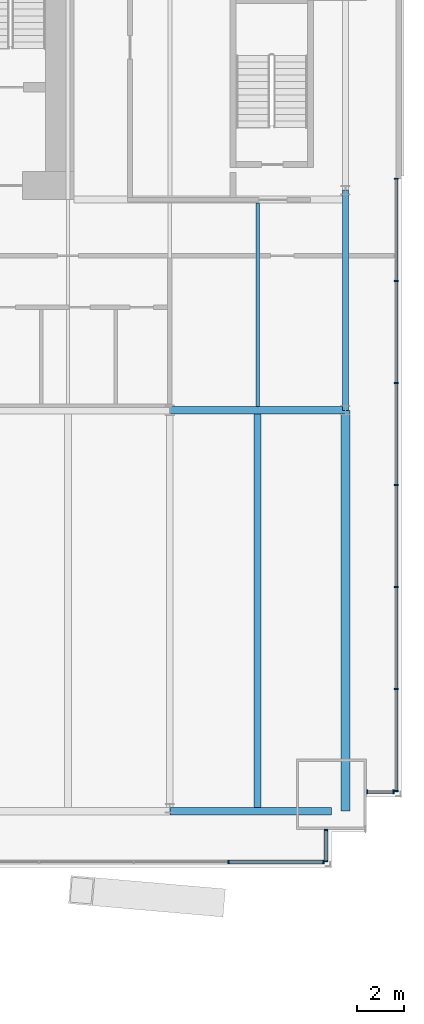
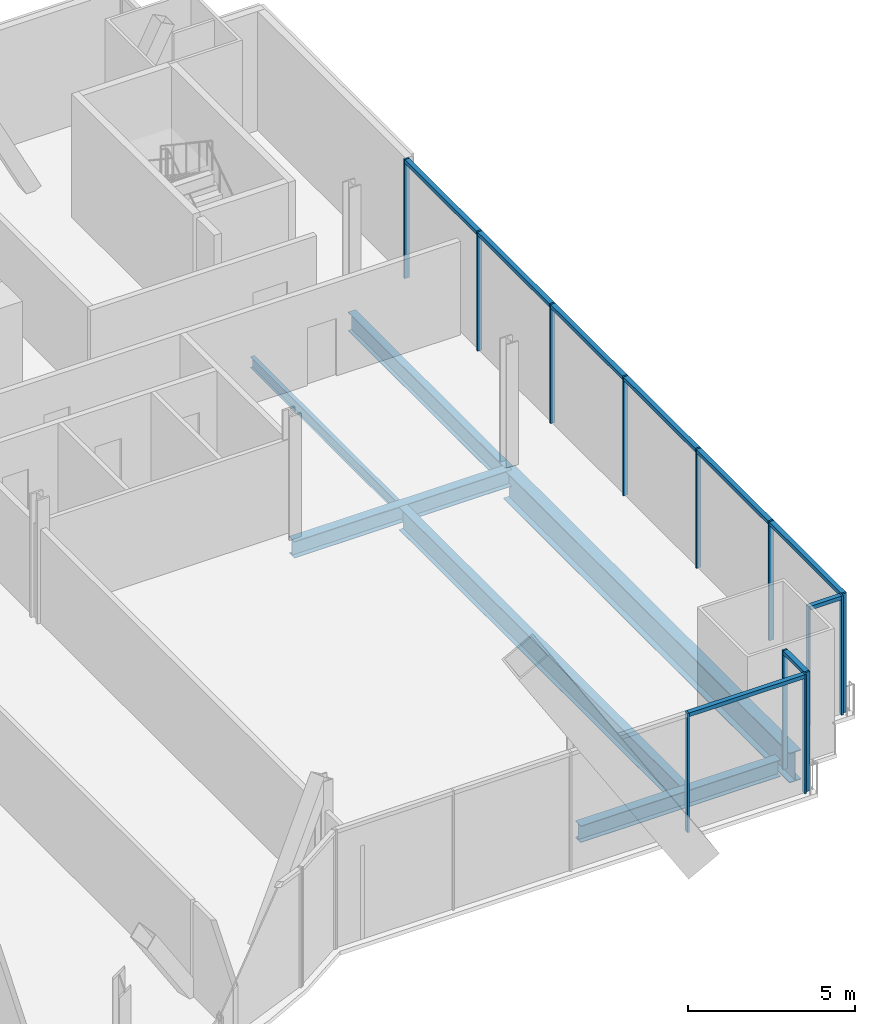
# One storey, part 13 of 23: 22 members, 6 beams, 4 elements without a shape of their own.
"""IFC4 building model written with IfcOpenShell, lengths in metres."""

from ifc_helpers import new_model, si_unit, direction, frame, origin, origin_2d, place, context, subcontext, project, spatial, rectangle, i_section, extrude, material, material_profile, profile_set, type_object, element, aggregate, save


model = new_model("IFC4")

# Units and contexts
model_context = context("Model", 3, precision=1e-05, world=origin(), true_north=direction((0.0, 1.0)))
body_context = subcontext(model_context, "Body", "Model", "MODEL_VIEW")
ifc_project = project(units=[si_unit("LENGTHUNIT", "METRE"), si_unit("AREAUNIT", "SQUARE_METRE"), si_unit("VOLUMEUNIT", "CUBIC_METRE"), si_unit("PLANEANGLEUNIT", "RADIAN"), si_unit("MASSUNIT", "GRAM", prefix="KILO")], contexts=[model_context])

# Site, building, storey
site_placement = place(None, origin())
site = spatial("IfcSite", under=ifc_project, at=site_placement, CompositionType="ELEMENT")
building_placement = place(site_placement, origin())
building = spatial("IfcBuilding", under=site, at=building_placement, Name="Bicima Exchange Tower", CompositionType="ELEMENT")
storey_placement = place(building_placement, frame((0.0, 0.0, 44.0)))
storey = spatial("IfcBuildingStorey", under=building, at=storey_placement, Name="L08", CompositionType="ELEMENT", Elevation=44.0)

# Curtain wall, members
ifc_material_1 = material(Name="Anodised bronze aluminium", Category="aluminium")
curtain_wall_type_1 = type_object("IfcCurtainWallType", Name="End face glass wall", PredefinedType="NOTDEFINED", material=ifc_material_1)
curtain_wall_1_placement = place(storey_placement, origin())
curtain_wall_1 = element("IfcCurtainWall", 1, at=curtain_wall_1_placement, inside=storey, type_object=curtain_wall_type_1, Name="End face glass wall L08 run 19", PredefinedType="NOTDEFINED")
ifc_material_profile_1 = material_profile(ifc_material_1, rectangle(XDim=0.159912109375, YDim=0.06005859375, at=origin_2d()))
ifc_profile_set_1 = profile_set([ifc_material_profile_1], Name="Anodised bronze aluminium")
member_type_1 = type_object("IfcMemberType", Name="End face glass wall mullion 60 x 160", PredefinedType="MULLION", material=ifc_profile_set_1)
member_1_placement = place(storey_placement, frame((35.77001953125, -38.251953125, 0.0), z_axis=(0.0, 0.0, 1.0), x_axis=(-1.0, 0.0, 0.0)))
member_1 = element("IfcMember", 2, at=member_1_placement, type_object=member_type_1, Name="End face glass wall mullion 1", PredefinedType="MULLION", context=body_context, shape_type="SweptSolid", body=[
    extrude(rectangle(XDim=0.159912109375, YDim=0.06005859375, at=origin_2d()), origin(), (0.0, 0.0, 1.0), 4.35009765625),
])
member_2_placement = place(storey_placement, frame((35.77001953125, -33.89501953125, 0.0), z_axis=(0.0, 0.0, 1.0), x_axis=(-1.0, 0.0, 0.0)))
member_2 = element("IfcMember", 3, at=member_2_placement, type_object=member_type_1, Name="End face glass wall mullion 2", PredefinedType="MULLION", context=body_context, shape_type="SweptSolid", body=[
    extrude(rectangle(XDim=0.159912109375, YDim=0.06005859375, at=origin_2d()), origin(), (0.0, 0.0, 1.0), 4.35009765625),
])
member_3_placement = place(storey_placement, frame((35.77001953125, -29.5380859375, 0.0), z_axis=(0.0, 0.0, 1.0), x_axis=(-1.0, 0.0, 0.0)))
member_3 = element("IfcMember", 4, at=member_3_placement, type_object=member_type_1, Name="End face glass wall mullion 3", PredefinedType="MULLION", context=body_context, shape_type="SweptSolid", body=[
    extrude(rectangle(XDim=0.159912109375, YDim=0.06005859375, at=origin_2d()), origin(), (0.0, 0.0, 1.0), 4.35009765625),
])
member_4_placement = place(storey_placement, frame((35.77001953125, -25.180908203125, 0.0), z_axis=(0.0, 0.0, 1.0), x_axis=(-1.0, 0.0, 0.0)))
member_4 = element("IfcMember", 5, at=member_4_placement, type_object=member_type_1, Name="End face glass wall mullion 4", PredefinedType="MULLION", context=body_context, shape_type="SweptSolid", body=[
    extrude(rectangle(XDim=0.159912109375, YDim=0.06005859375, at=origin_2d()), origin(), (0.0, 0.0, 1.0), 4.35009765625),
])
member_5_placement = place(storey_placement, frame((35.77001953125, -20.823974609375, 0.0), z_axis=(0.0, 0.0, 1.0), x_axis=(-1.0, 0.0, 0.0)))
member_5 = element("IfcMember", 6, at=member_5_placement, type_object=member_type_1, Name="End face glass wall mullion 5", PredefinedType="MULLION", context=body_context, shape_type="SweptSolid", body=[
    extrude(rectangle(XDim=0.159912109375, YDim=0.06005859375, at=origin_2d()), origin(), (0.0, 0.0, 1.0), 4.35009765625),
])
member_6_placement = place(storey_placement, frame((35.77001953125, -16.467041015625, 0.0), z_axis=(0.0, 0.0, 1.0), x_axis=(-1.0, 0.0, 0.0)))
member_6 = element("IfcMember", 7, at=member_6_placement, type_object=member_type_1, Name="End face glass wall mullion 6", PredefinedType="MULLION", context=body_context, shape_type="SweptSolid", body=[
    extrude(rectangle(XDim=0.159912109375, YDim=0.06005859375, at=origin_2d()), origin(), (0.0, 0.0, 1.0), 4.35009765625),
])
member_7_placement = place(storey_placement, frame((35.77001953125, -12.110107421875, 0.0), z_axis=(0.0, 0.0, 1.0), x_axis=(-1.0, 0.0, 0.0)))
member_7 = element("IfcMember", 8, at=member_7_placement, type_object=member_type_1, Name="End face glass wall mullion 7", PredefinedType="MULLION", context=body_context, shape_type="SweptSolid", body=[
    extrude(rectangle(XDim=0.159912109375, YDim=0.06005859375, at=origin_2d()), origin(), (0.0, 0.0, 1.0), 4.35009765625),
])
ifc_material_profile_2 = material_profile(ifc_material_1, rectangle(XDim=0.159912109375, YDim=0.139892578125, at=origin_2d()))
ifc_profile_set_2 = profile_set([ifc_material_profile_2], Name="Anodised bronze aluminium")
member_type_2 = type_object("IfcMemberType", Name="End face glass wall transom 140 x 160", PredefinedType="USERDEFINED", material=ifc_profile_set_2)
member_8_placement = place(storey_placement, frame((35.77001953125, -38.221923828125, 4.280029296875), z_axis=(0.0, 1.0, 0.0), x_axis=(-1.0, 0.0, 0.0)))
member_8 = element("IfcMember", 9, at=member_8_placement, type_object=member_type_2, Name="End face glass wall transom 1.1", ObjectType="TRANSOM", PredefinedType="USERDEFINED", context=body_context, shape_type="SweptSolid", body=[
    extrude(rectangle(XDim=0.159912109375, YDim=0.139892578125, at=origin_2d()), origin(), (0.0, 0.0, 1.0), 4.296875),
])
member_9_placement = place(storey_placement, frame((35.77001953125, -33.864990234375, 4.280029296875), z_axis=(0.0, 1.0, 0.0), x_axis=(-1.0, 0.0, 0.0)))
member_9 = element("IfcMember", 10, at=member_9_placement, type_object=member_type_2, Name="End face glass wall transom 2.1", ObjectType="TRANSOM", PredefinedType="USERDEFINED", context=body_context, shape_type="SweptSolid", body=[
    extrude(rectangle(XDim=0.159912109375, YDim=0.139892578125, at=origin_2d()), origin(), (0.0, 0.0, 1.0), 4.296875),
])
member_10_placement = place(storey_placement, frame((35.77001953125, -29.508056640625, 4.280029296875), z_axis=(0.0, 1.0, 0.0), x_axis=(-1.0, 0.0, 0.0)))
member_10 = element("IfcMember", 11, at=member_10_placement, type_object=member_type_2, Name="End face glass wall transom 3.1", ObjectType="TRANSOM", PredefinedType="USERDEFINED", context=body_context, shape_type="SweptSolid", body=[
    extrude(rectangle(XDim=0.159912109375, YDim=0.139892578125, at=origin_2d()), origin(), (0.0, 0.0, 1.0), 4.297119140625),
])
member_11_placement = place(storey_placement, frame((35.77001953125, -25.15087890625, 4.280029296875), z_axis=(0.0, 1.0, 0.0), x_axis=(-1.0, 0.0, 0.0)))
member_11 = element("IfcMember", 12, at=member_11_placement, type_object=member_type_2, Name="End face glass wall transom 4.1", ObjectType="TRANSOM", PredefinedType="USERDEFINED", context=body_context, shape_type="SweptSolid", body=[
    extrude(rectangle(XDim=0.159912109375, YDim=0.139892578125, at=origin_2d()), origin(), (0.0, 0.0, 1.0), 4.296875),
])
member_12_placement = place(storey_placement, frame((35.77001953125, -20.7939453125, 4.280029296875), z_axis=(0.0, 1.0, 0.0), x_axis=(-1.0, 0.0, 0.0)))
member_12 = element("IfcMember", 13, at=member_12_placement, type_object=member_type_2, Name="End face glass wall transom 5.1", ObjectType="TRANSOM", PredefinedType="USERDEFINED", context=body_context, shape_type="SweptSolid", body=[
    extrude(rectangle(XDim=0.159912109375, YDim=0.139892578125, at=origin_2d()), origin(), (0.0, 0.0, 1.0), 4.296875),
])
member_13_placement = place(storey_placement, frame((35.77001953125, -16.43701171875, 4.280029296875), z_axis=(0.0, 1.0, 0.0), x_axis=(-1.0, 0.0, 0.0)))
member_13 = element("IfcMember", 14, at=member_13_placement, type_object=member_type_2, Name="End face glass wall transom 6.1", ObjectType="TRANSOM", PredefinedType="USERDEFINED", context=body_context, shape_type="SweptSolid", body=[
    extrude(rectangle(XDim=0.159912109375, YDim=0.139892578125, at=origin_2d()), origin(), (0.0, 0.0, 1.0), 4.297119140625),
])
aggregate(curtain_wall_1, [member_1, member_2, member_3, member_4, member_5, member_6, member_7, member_8, member_9, member_10, member_11, member_12, member_13])

# Beams
ifc_material_2 = material(Name="Steel ASTM A992 Gr 50", Category="steel")
ifc_material_profile_3 = material_profile(ifc_material_2, i_section(OverallWidth=0.256591796875, OverallDepth=0.693359375, WebThickness=0.014404296875, FlangeThickness=0.023681640625, at=origin_2d()))
ifc_profile_set_3 = profile_set([ifc_material_profile_3], Name="Steel ASTM A992 Gr 50")
beam_type_1 = type_object("IfcBeamType", Name="End girder W27x114", PredefinedType="BEAM", material=ifc_profile_set_3)
beam_1_placement = place(storey_placement, frame((33.60009765625, -12.60009765625, -0.49658203125), z_axis=(0.0, -1.0, 0.0), x_axis=(1.0, 0.0, 0.0)))
element("IfcBeam", 15, at=beam_1_placement, inside=storey, type_object=beam_type_1, Name="End girder", PredefinedType="BEAM", context=body_context, shape_type="SweptSolid", body=[
    extrude(i_section(OverallWidth=0.256591796875, OverallDepth=0.693359375, WebThickness=0.014404296875, FlangeThickness=0.023681640625, at=origin_2d()), origin(), (0.0, 0.0, 1.0), 9.39990234375),
])
ifc_material_profile_4 = material_profile(ifc_material_2, i_section(OverallWidth=0.4013671875, OverallDepth=1.089599609375, WebThickness=0.01806640625, FlangeThickness=0.031005859375, at=origin_2d()))
ifc_profile_set_4 = profile_set([ifc_material_profile_4], Name="Steel ASTM A992 Gr 50")
beam_type_2 = type_object("IfcBeamType", Name="End girder W44x230", PredefinedType="BEAM", material=ifc_profile_set_4)
beam_2_placement = place(storey_placement, frame((33.60009765625, -22.0, -0.69482421875), z_axis=(0.0, -1.0, 0.0), x_axis=(1.0, 0.0, 0.0)))
element("IfcBeam", 16, at=beam_2_placement, inside=storey, type_object=beam_type_2, Name="End girder", PredefinedType="BEAM", context=body_context, shape_type="SweptSolid", body=[
    extrude(i_section(OverallWidth=0.4013671875, OverallDepth=1.089599609375, WebThickness=0.01806640625, FlangeThickness=0.031005859375, at=origin_2d()), origin(), (0.0, 0.0, 1.0), 17.112060546875),
])
ifc_material_profile_5 = material_profile(ifc_material_2, i_section(OverallWidth=0.140380859375, OverallDepth=0.40380859375, WebThickness=0.007080078125, FlangeThickness=0.01123046875, at=origin_2d()))
ifc_profile_set_5 = profile_set([ifc_material_profile_5], Name="Steel ASTM A992 Gr 50")
beam_type_3 = type_object("IfcBeamType", Name="Floor beam W16x31", PredefinedType="JOIST", material=ifc_profile_set_5)
beam_3_placement = place(storey_placement, frame((29.85009765625, -13.15234375, -0.351806640625), z_axis=(0.0, -1.0, 0.0), x_axis=(1.0, 0.0, 0.0)))
element("IfcBeam", 17, at=beam_3_placement, inside=storey, type_object=beam_type_3, Name="Floor beam", PredefinedType="JOIST", context=body_context, shape_type="SweptSolid", body=[
    extrude(i_section(OverallWidth=0.140380859375, OverallDepth=0.40380859375, WebThickness=0.007080078125, FlangeThickness=0.01123046875, at=origin_2d()), origin(), (0.0, 0.0, 1.0), 8.68505859375),
])
ifc_material_profile_6 = material_profile(ifc_material_2, i_section(OverallWidth=0.2919921875, OverallDepth=0.835693359375, WebThickness=0.013916015625, FlangeThickness=0.018798828125, at=origin_2d()))
ifc_profile_set_6 = profile_set([ifc_material_profile_6], Name="Steel ASTM A992 Gr 50")
beam_type_4 = type_object("IfcBeamType", Name="Floor beam W33x118", PredefinedType="JOIST", material=ifc_profile_set_6)
beam_4_placement = place(storey_placement, frame((29.85009765625, -22.16259765625, -0.56787109375), z_axis=(0.0, -1.0, 0.0), x_axis=(1.0, 0.0, 0.0)))
element("IfcBeam", 18, at=beam_4_placement, inside=storey, type_object=beam_type_4, Name="Floor beam", PredefinedType="JOIST", context=body_context, shape_type="SweptSolid", body=[
    extrude(i_section(OverallWidth=0.2919921875, OverallDepth=0.835693359375, WebThickness=0.013916015625, FlangeThickness=0.018798828125, at=origin_2d()), origin(), (0.0, 0.0, 1.0), 16.786865234375),
])
ifc_material_profile_7 = material_profile(ifc_material_2, i_section(OverallWidth=0.3251953125, OverallDepth=0.612060546875, WebThickness=0.0126953125, FlangeThickness=0.01904296875, at=origin_2d()))
ifc_profile_set_7 = profile_set([ifc_material_profile_7], Name="Steel ASTM A992 Gr 50")
beam_type_5 = type_object("IfcBeamType", Name="Front girder W24x104", PredefinedType="BEAM", material=ifc_profile_set_7)
beam_5_placement = place(storey_placement, frame((26.10009765625, -39.112060546875, -0.4560546875), z_axis=(1.0, 0.0, 0.0), x_axis=(0.0, 1.0, 0.0)))
element("IfcBeam", 19, at=beam_5_placement, inside=storey, type_object=beam_type_5, Name="Front girder", PredefinedType="BEAM", context=body_context, shape_type="SweptSolid", body=[
    extrude(i_section(OverallWidth=0.3251953125, OverallDepth=0.612060546875, WebThickness=0.0126953125, FlangeThickness=0.01904296875, at=origin_2d()), origin(), (0.0, 0.0, 1.0), 6.89990234375),
])

# Curtain wall, members
curtain_wall_type_2 = type_object("IfcCurtainWallType", Name="Front glass wall", PredefinedType="NOTDEFINED", material=ifc_material_1)
curtain_wall_2_placement = place(storey_placement, origin())
curtain_wall_2 = element("IfcCurtainWall", 20, at=curtain_wall_2_placement, inside=storey, type_object=curtain_wall_type_2, Name="Front glass wall L08 run 16", PredefinedType="NOTDEFINED")
member_type_3 = type_object("IfcMemberType", Name="Front glass wall mullion 60 x 160", PredefinedType="MULLION", material=ifc_profile_set_1)
member_14_placement = place(storey_placement, frame((28.610595703125, -41.281982421875, 0.0), z_axis=(0.0, 0.0, 1.0), x_axis=(0.0, 1.0, 0.0)))
member_14 = element("IfcMember", 21, at=member_14_placement, type_object=member_type_3, Name="Front glass wall mullion 4", PredefinedType="MULLION", context=body_context, shape_type="SweptSolid", body=[
    extrude(rectangle(XDim=0.159912109375, YDim=0.06005859375, at=origin_2d()), origin(), (0.0, 0.0, 1.0), 4.35009765625),
])
member_15_placement = place(storey_placement, frame((32.659912109375, -41.281982421875, 0.0), z_axis=(0.0, 0.0, 1.0), x_axis=(0.0, 1.0, 0.0)))
member_15 = element("IfcMember", 22, at=member_15_placement, type_object=member_type_3, Name="Front glass wall mullion 5", PredefinedType="MULLION", context=body_context, shape_type="SweptSolid", body=[
    extrude(rectangle(XDim=0.159912109375, YDim=0.06005859375, at=origin_2d()), origin(), (0.0, 0.0, 1.0), 4.35009765625),
])

curtain_wall_3_placement = place(storey_placement, origin())
curtain_wall_3 = element("IfcCurtainWall", 23, at=curtain_wall_3_placement, inside=storey, type_object=curtain_wall_type_2, Name="Front glass wall L08 run 17", PredefinedType="NOTDEFINED")
member_16_placement = place(storey_placement, frame((32.77001953125, -41.251953125, 0.0), z_axis=(0.0, 0.0, 1.0), x_axis=(-1.0, 0.0, 0.0)))
member_16 = element("IfcMember", 24, at=member_16_placement, type_object=member_type_3, Name="Front glass wall mullion 1", PredefinedType="MULLION", context=body_context, shape_type="SweptSolid", body=[
    extrude(rectangle(XDim=0.159912109375, YDim=0.06005859375, at=origin_2d()), origin(), (0.0, 0.0, 1.0), 4.35009765625),
])
member_17_placement = place(storey_placement, frame((32.77001953125, -39.919921875, 0.0), z_axis=(0.0, 0.0, 1.0), x_axis=(-1.0, 0.0, 0.0)))
member_17 = element("IfcMember", 25, at=member_17_placement, type_object=member_type_3, Name="Front glass wall mullion 2", PredefinedType="MULLION", context=body_context, shape_type="SweptSolid", body=[
    extrude(rectangle(XDim=0.159912109375, YDim=0.06005859375, at=origin_2d()), origin(), (0.0, 0.0, 1.0), 4.35009765625),
])

curtain_wall_4_placement = place(storey_placement, origin())
curtain_wall_4 = element("IfcCurtainWall", 26, at=curtain_wall_4_placement, inside=storey, type_object=curtain_wall_type_2, Name="Front glass wall L08 run 18", PredefinedType="NOTDEFINED")
member_18_placement = place(storey_placement, frame((34.530029296875, -38.281982421875, 0.0), z_axis=(0.0, 0.0, 1.0), x_axis=(0.0, 1.0, 0.0)))
member_18 = element("IfcMember", 27, at=member_18_placement, type_object=member_type_3, Name="Front glass wall mullion 1", PredefinedType="MULLION", context=body_context, shape_type="SweptSolid", body=[
    extrude(rectangle(XDim=0.159912109375, YDim=0.06005859375, at=origin_2d()), origin(), (0.0, 0.0, 1.0), 4.35009765625),
])
member_19_placement = place(storey_placement, frame((35.659912109375, -38.281982421875, 0.0), z_axis=(0.0, 0.0, 1.0), x_axis=(0.0, 1.0, 0.0)))
member_19 = element("IfcMember", 28, at=member_19_placement, type_object=member_type_3, Name="Front glass wall mullion 2", PredefinedType="MULLION", context=body_context, shape_type="SweptSolid", body=[
    extrude(rectangle(XDim=0.159912109375, YDim=0.06005859375, at=origin_2d()), origin(), (0.0, 0.0, 1.0), 4.35009765625),
])

# Member
member_type_4 = type_object("IfcMemberType", Name="Front glass wall transom 140 x 160", PredefinedType="USERDEFINED", material=ifc_profile_set_2)
member_20_placement = place(storey_placement, frame((28.640380859375, -41.281982421875, 4.280029296875), z_axis=(1.0, 0.0, 0.0), x_axis=(0.0, 1.0, 0.0)))
member_20 = element("IfcMember", 29, at=member_20_placement, type_object=member_type_4, Name="Front glass wall transom 4.1", ObjectType="TRANSOM", PredefinedType="USERDEFINED", context=body_context, shape_type="SweptSolid", body=[
    extrude(rectangle(XDim=0.159912109375, YDim=0.139892578125, at=origin_2d()), origin(), (0.0, 0.0, 1.0), 3.989501953125),
])

aggregate(curtain_wall_2, [member_14, member_15, member_20])

member_21_placement = place(storey_placement, frame((32.77001953125, -41.221923828125, 4.280029296875), z_axis=(0.0, 1.0, 0.0), x_axis=(-1.0, 0.0, 0.0)))
member_21 = element("IfcMember", 30, at=member_21_placement, type_object=member_type_4, Name="Front glass wall transom 1.1", ObjectType="TRANSOM", PredefinedType="USERDEFINED", context=body_context, shape_type="SweptSolid", body=[
    extrude(rectangle(XDim=0.159912109375, YDim=0.139892578125, at=origin_2d()), origin(), (0.0, 0.0, 1.0), 1.27197265625),
])

aggregate(curtain_wall_3, [member_16, member_17, member_21])

member_22_placement = place(storey_placement, frame((34.56005859375, -38.281982421875, 4.280029296875), z_axis=(1.0, 0.0, 0.0), x_axis=(0.0, 1.0, 0.0)))
member_22 = element("IfcMember", 31, at=member_22_placement, type_object=member_type_4, Name="Front glass wall transom 1.1", ObjectType="TRANSOM", PredefinedType="USERDEFINED", context=body_context, shape_type="SweptSolid", body=[
    extrude(rectangle(XDim=0.159912109375, YDim=0.139892578125, at=origin_2d()), origin(), (0.0, 0.0, 1.0), 1.06982421875),
])

aggregate(curtain_wall_4, [member_18, member_19, member_22])

# Beam
beam_type_6 = type_object("IfcBeamType", Name="Row girder W24x104", PredefinedType="BEAM", material=ifc_profile_set_7)
beam_6_placement = place(storey_placement, frame((26.10009765625, -22.0, -0.4560546875), z_axis=(1.0, 0.0, 0.0), x_axis=(0.0, 1.0, 0.0)))
element("IfcBeam", 32, at=beam_6_placement, inside=storey, type_object=beam_type_6, Name="Row girder", PredefinedType="BEAM", context=body_context, shape_type="SweptSolid", body=[
    extrude(i_section(OverallWidth=0.3251953125, OverallDepth=0.612060546875, WebThickness=0.0126953125, FlangeThickness=0.01904296875, at=origin_2d()), origin(), (0.0, 0.0, 1.0), 7.5),
])

save(model, "model.ifc")
